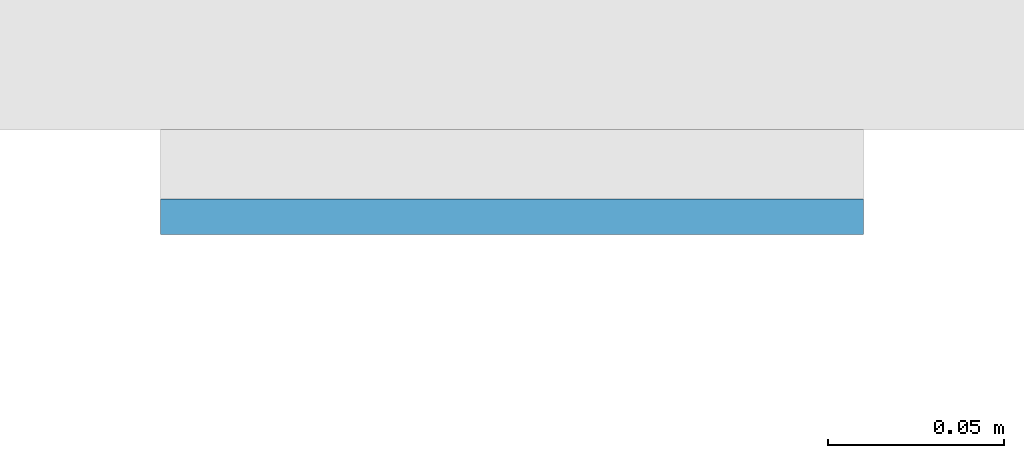
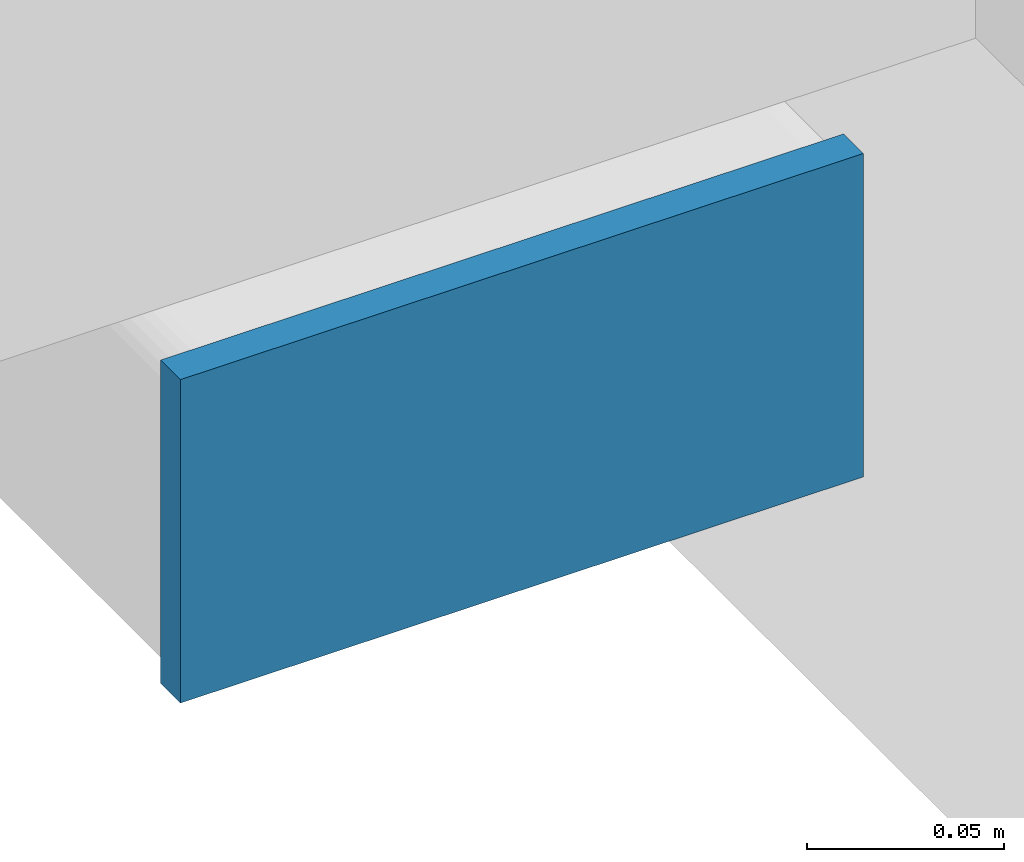
# One storey, part 8 of 20: 1 plate.
"""IFC4 building model written with IfcOpenShell, lengths in metres."""

from ifc_helpers import new_model, si_unit, direction, frame, origin, origin_2d, place, context, subcontext, project, spatial, rectangle, extrude, material, layer, layer_set, type_object, element, save


model = new_model("IFC4")

# Units and contexts
model_context = context("Model", 3, precision=1e-05, world=origin(), true_north=direction((0.0, 1.0)))
body_context = subcontext(model_context, "Body", "Model", "MODEL_VIEW")
ifc_project = project(units=[si_unit("LENGTHUNIT", "METRE"), si_unit("AREAUNIT", "SQUARE_METRE"), si_unit("VOLUMEUNIT", "CUBIC_METRE"), si_unit("PLANEANGLEUNIT", "RADIAN"), si_unit("MASSUNIT", "GRAM", prefix="KILO")], contexts=[model_context])

# Site, building, storey
site_placement = place(None, origin())
site = spatial("IfcSite", under=ifc_project, at=site_placement, CompositionType="ELEMENT")
building_placement = place(site_placement, origin())
building = spatial("IfcBuilding", under=site, at=building_placement, Name="Cleftline Residences", CompositionType="ELEMENT")
storey_placement = place(building_placement, frame((0.0, 0.0, 87.199951171875)))
storey = spatial("IfcBuildingStorey", under=building, at=storey_placement, Name="L22", CompositionType="ELEMENT", Elevation=87.199951171875)

# Plate
ifc_material = material(Name="Steel S355, hot-dip galvanised", Category="steel")
ifc_layer = layer(ifc_material, 0.010009765625)
ifc_layer_set = layer_set([ifc_layer], Name="BAGUETTE CARRIER END PLATE 200X100X10")
plate_type = type_object("IfcPlateType", Name="BAGUETTE CARRIER END PLATE 200X100X10", PredefinedType="USERDEFINED", material=ifc_layer_set)
plate_placement = place(storey_placement, frame((-0.85009765625, 3.695068359375, -0.10009765625), z_axis=(0.0, 0.0, 1.0), x_axis=(-1.0, 0.0, 0.0)))
element("IfcPlate", 1, at=plate_placement, inside=storey, type_object=plate_type, Name="Baguette carrier end plate", ObjectType="BAGUETTE CARRIER END PLATE", PredefinedType="USERDEFINED", context=body_context, shape_type="SweptSolid", body=[
    extrude(rectangle(XDim=0.199951171875, YDim=0.010009765625, at=origin_2d()), origin(), (0.0, 0.0, 1.0), 0.10009765625),
])

save(model, "model.ifc")
